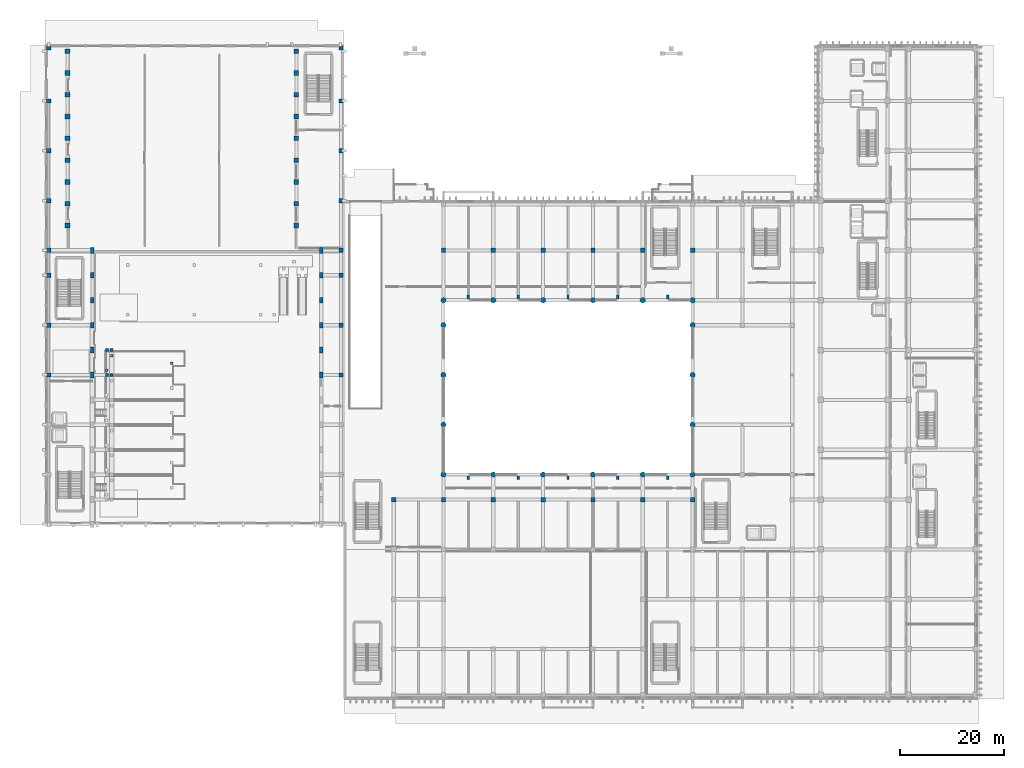
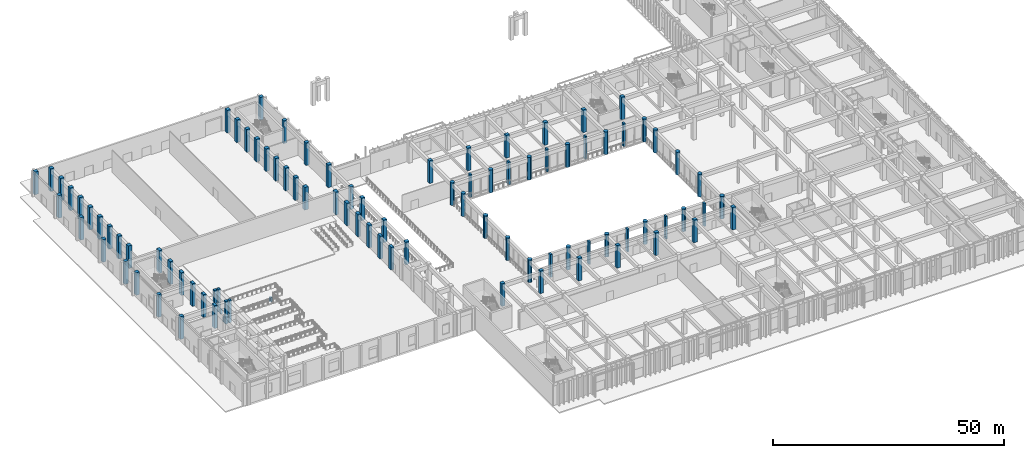
# One storey, part 4 of 87: 94 columns.
"""IFC4 building model written with IfcOpenShell, lengths in metres."""

from ifc_helpers import new_model, si_unit, direction, frame, origin, origin_2d, place, context, subcontext, project, spatial, rectangle, circle, extrude, material, material_profile, profile_set, type_object, element, save


model = new_model("IFC4")

# Units and contexts
model_context = context("Model", 3, precision=1e-05, world=origin(), true_north=direction((0.0, 1.0)))
body_context = subcontext(model_context, "Body", "Model", "MODEL_VIEW")
ifc_project = project(units=[si_unit("LENGTHUNIT", "METRE"), si_unit("AREAUNIT", "SQUARE_METRE"), si_unit("VOLUMEUNIT", "CUBIC_METRE"), si_unit("PLANEANGLEUNIT", "RADIAN"), si_unit("MASSUNIT", "GRAM", prefix="KILO")], contexts=[model_context])

# Site, building, storey
site_placement = place(None, origin())
site = spatial("IfcSite", under=ifc_project, at=site_placement, CompositionType="ELEMENT")
building_placement = place(site_placement, origin())
building = spatial("IfcBuilding", under=site, at=building_placement, Name="Nakhvara Creek Congress Hotel", CompositionType="ELEMENT")
storey_placement = place(building_placement, origin())
storey = spatial("IfcBuildingStorey", under=building, at=storey_placement, Name="L00", CompositionType="ELEMENT", Elevation=0.0)

# Columns
ifc_material = material(Name="Concrete C50/60", Category="concrete")
ifc_material_profile_1 = material_profile(ifc_material, rectangle(XDim=0.5, YDim=0.5, at=origin_2d()), Name="RC-COL 500x500", Category="LoadBearing")
ifc_profile_set_1 = profile_set([ifc_material_profile_1], Name="Concrete C50/60")
column_type_1 = type_object("IfcColumnType", Name="COL-RC-500", PredefinedType="COLUMN", material=ifc_profile_set_1)
for number, where, z_axis, x_axis, name in (
    (1, (11.949951171875, 63.300048828125, 0.0), (0.0, 0.0, 1.0), (1.0, 0.0, 0.0), "Congress Stand Riser Pier L00-6.1"),
    (2, (12.85009765625, 66.10009765625, 0.0), (0.0, 0.0, 1.0), (1.0, 0.0, 0.0), "Congress Stand Riser Pier L00-6.2"),
    (3, (24.449951171875, 64.699951171875, 0.0), (0.0, 0.0, 1.0), (1.0, 0.0, 0.0), "Congress Stand Riser Pier L00-6.3"),
):
    element("IfcColumn", number, at=place(storey_placement, frame(where, z_axis=z_axis, x_axis=x_axis)), inside=storey, type_object=column_type_1, Name=name, PredefinedType="COLUMN", context=body_context, shape_type="SweptSolid", body=[
        extrude(rectangle(XDim=0.5, YDim=0.5, at=origin_2d()), origin(), (0.0, 0.0, 1.0), 1.159912109375),
    ])
ifc_material_profile_2 = material_profile(ifc_material, rectangle(XDim=0.60009765625, YDim=0.60009765625, at=origin_2d()), Name="RC-COL 600x600", Category="LoadBearing")
ifc_profile_set_2 = profile_set([ifc_material_profile_2], Name="Concrete C50/60")
column_type_2 = type_object("IfcColumnType", Name="COL-RC-600", PredefinedType="COLUMN", material=ifc_profile_set_2)
for number, where, z_axis, x_axis, name in (
    (4, (11.949951171875, 62.39990234375, 0.0), (0.0, 0.0, 1.0), (1.0, 0.0, 0.0), "Column C08-L00-0626"),
    (5, (12.85009765625, 62.39990234375, 0.0), (0.0, 0.0, 1.0), (1.0, 0.0, 0.0), "Column C08-L00-0627"),
    (6, (11.949951171875, 67.199951171875, 0.0), (0.0, 0.0, 1.0), (1.0, 0.0, 0.0), "Column C08-L00-0628"),
    (7, (12.85009765625, 67.199951171875, 0.0), (0.0, 0.0, 1.0), (1.0, 0.0, 0.0), "Column C08-L00-0629"),
):
    element("IfcColumn", number, at=place(storey_placement, frame(where, z_axis=z_axis, x_axis=x_axis)), inside=storey, type_object=column_type_2, Name=name, PredefinedType="COLUMN", context=body_context, shape_type="SweptSolid", body=[
        extrude(rectangle(XDim=0.60009765625, YDim=0.60009765625, at=origin_2d()), origin(), (0.0, 0.0, 1.0), 6.0),
    ])
ifc_material_profile_3 = material_profile(ifc_material, rectangle(XDim=0.699951171875, YDim=1.10009765625, at=origin_2d()), Name="RC-COL 700x1100", Category="LoadBearing")
ifc_profile_set_3 = profile_set([ifc_material_profile_3], Name="Concrete C50/60")
column_type_3 = type_object("IfcColumnType", Name="COL-RC-700X1100", PredefinedType="COLUMN", material=ifc_profile_set_3)
for number, where, z_axis, x_axis, name in (
    (8, (9.14990234375, 62.39990234375, 0.0), (0.0, 0.0, 1.0), (1.0, 0.0, 0.0), "Column C12-L00-0604"),
    (9, (53.25, 62.39990234375, 0.0), (0.0, 0.0, 1.0), (1.0, 0.0, 0.0), "Column C12-L00-0605"),
    (10, (9.14990234375, 67.199951171875, 0.0), (0.0, 0.0, 1.0), (1.0, 0.0, 0.0), "Column C12-L00-0606"),
    (11, (53.25, 67.199951171875, 0.0), (0.0, 0.0, 1.0), (1.0, 0.0, 0.0), "Column C12-L00-0607"),
    (12, (9.14990234375, 72.0, 0.0), (0.0, 0.0, 1.0), (1.0, 0.0, 0.0), "Column C12-L00-0608"),
    (13, (53.25, 72.0, 0.0), (0.0, 0.0, 1.0), (1.0, 0.0, 0.0), "Column C12-L00-0609"),
    (14, (9.14990234375, 76.800048828125, 0.0), (0.0, 0.0, 1.0), (1.0, 0.0, 0.0), "Column C12-L00-0610"),
    (15, (53.25, 76.800048828125, 0.0), (0.0, 0.0, 1.0), (1.0, 0.0, 0.0), "Column C12-L00-0611"),
    (16, (9.14990234375, 81.60009765625, 0.0), (0.0, 0.0, 1.0), (1.0, 0.0, 0.0), "Column C12-L00-0612"),
    (17, (53.25, 81.60009765625, 0.0), (0.0, 0.0, 1.0), (1.0, 0.0, 0.0), "Column C12-L00-0613"),
    (18, (9.14990234375, 86.39990234375, 0.0), (0.0, 0.0, 1.0), (1.0, 0.0, 0.0), "Column C12-L00-0614"),
    (19, (53.25, 86.39990234375, 0.0), (0.0, 0.0, 1.0), (1.0, 0.0, 0.0), "Column C12-L00-0615"),
):
    element("IfcColumn", number, at=place(storey_placement, frame(where, z_axis=z_axis, x_axis=x_axis)), inside=storey, type_object=column_type_3, Name=name, PredefinedType="COLUMN", context=body_context, shape_type="SweptSolid", body=[
        extrude(rectangle(XDim=0.699951171875, YDim=1.10009765625, at=origin_2d()), origin(), (0.0, 0.0, 1.0), 6.0),
    ])
ifc_material_profile_4 = material_profile(ifc_material, rectangle(XDim=0.85009765625, YDim=0.85009765625, at=origin_2d()), Name="RC-COL 850x850", Category="LoadBearing")
ifc_profile_set_4 = profile_set([ifc_material_profile_4], Name="Concrete C50/60")
column_type_4 = type_object("IfcColumnType", Name="COL-RC-850", PredefinedType="COLUMN", material=ifc_profile_set_4)
for number, where, z_axis, x_axis, name in (
    (20, (0.75, 62.39990234375, 0.0), (0.0, 0.0, 1.0), (1.0, 0.0, 0.0), "Column C18-L00-0584"),
    (21, (57.050048828125, 62.39990234375, 0.0), (0.0, 0.0, 1.0), (1.0, 0.0, 0.0), "Column C18-L00-0585"),
    (22, (0.75, 72.0, 0.0), (0.0, 0.0, 1.0), (1.0, 0.0, 0.0), "Column C18-L00-0586"),
    (23, (57.050048828125, 72.0, 0.0), (0.0, 0.0, 1.0), (1.0, 0.0, 0.0), "Column C18-L00-0587"),
    (24, (0.75, 81.60009765625, 0.0), (0.0, 0.0, 1.0), (1.0, 0.0, 0.0), "Column C18-L00-0588"),
    (25, (57.050048828125, 81.60009765625, 0.0), (0.0, 0.0, 1.0), (1.0, 0.0, 0.0), "Column C18-L00-0589"),
    (26, (0.75, 86.39990234375, 0.0), (0.0, 0.0, 1.0), (1.0, 0.0, 0.0), "Column C18-L00-0590"),
    (27, (57.050048828125, 86.39990234375, 0.0), (0.0, 0.0, 1.0), (1.0, 0.0, 0.0), "Column C18-L00-0591"),
    (28, (0.75, 96.0, 0.0), (0.0, 0.0, 1.0), (1.0, 0.0, 0.0), "Column C18-L00-0648"),
    (29, (57.050048828125, 96.0, 0.0), (0.0, 0.0, 1.0), (1.0, 0.0, 0.0), "Column C18-L00-0649"),
    (30, (0.75, 105.60009765625, 0.0), (0.0, 0.0, 1.0), (1.0, 0.0, 0.0), "Column C18-L00-0650"),
    (31, (57.050048828125, 105.60009765625, 0.0), (0.0, 0.0, 1.0), (1.0, 0.0, 0.0), "Column C18-L00-0651"),
    (32, (0.75, 115.199951171875, 0.0), (0.0, 0.0, 1.0), (1.0, 0.0, 0.0), "Column C18-L00-0652"),
    (33, (57.050048828125, 115.199951171875, 0.0), (0.0, 0.0, 1.0), (1.0, 0.0, 0.0), "Column C18-L00-0653"),
    (34, (0.75, 125.39990234375, 0.0), (0.0, 0.0, 1.0), (1.0, 0.0, 0.0), "Column C18-L00-0654"),
    (35, (57.050048828125, 125.39990234375, 0.0), (0.0, 0.0, 1.0), (1.0, 0.0, 0.0), "Column C18-L00-0655"),
    (36, (67.199951171875, 38.39990234375, 0.0), (0.0, 0.0, 1.0), (1.0, 0.0, 0.0), "Column C18-L00-0660"),
    (37, (76.800048828125, 38.39990234375, 0.0), (0.0, 0.0, 1.0), (1.0, 0.0, 0.0), "Column C18-L00-0665"),
    (38, (76.800048828125, 86.39990234375, 0.0), (0.0, 0.0, 1.0), (1.0, 0.0, 0.0), "Column C18-L00-0671"),
    (39, (86.39990234375, 38.39990234375, 0.0), (0.0, 0.0, 1.0), (1.0, 0.0, 0.0), "Column C18-L00-0676"),
    (40, (86.39990234375, 86.39990234375, 0.0), (0.0, 0.0, 1.0), (1.0, 0.0, 0.0), "Column C18-L00-0679"),
    (41, (96.0, 38.39990234375, 0.0), (0.0, 0.0, 1.0), (1.0, 0.0, 0.0), "Column C18-L00-0684"),
    (42, (96.0, 86.39990234375, 0.0), (0.0, 0.0, 1.0), (1.0, 0.0, 0.0), "Column C18-L00-0687"),
    (43, (105.60009765625, 38.39990234375, 0.0), (0.0, 0.0, 1.0), (1.0, 0.0, 0.0), "Column C18-L00-0692"),
    (44, (105.60009765625, 86.39990234375, 0.0), (0.0, 0.0, 1.0), (1.0, 0.0, 0.0), "Column C18-L00-0695"),
    (45, (115.199951171875, 38.39990234375, 0.0), (0.0, 0.0, 1.0), (1.0, 0.0, 0.0), "Column C18-L00-0701"),
    (46, (115.199951171875, 86.39990234375, 0.0), (0.0, 0.0, 1.0), (1.0, 0.0, 0.0), "Column C18-L00-0704"),
    (47, (124.800048828125, 38.39990234375, 0.0), (0.0, 0.0, 1.0), (1.0, 0.0, 0.0), "Column C18-L00-0710"),
    (48, (124.800048828125, 86.39990234375, 0.0), (0.0, 0.0, 1.0), (1.0, 0.0, 0.0), "Column C18-L00-0716"),
):
    element("IfcColumn", number, at=place(storey_placement, frame(where, z_axis=z_axis, x_axis=x_axis)), inside=storey, type_object=column_type_4, Name=name, PredefinedType="COLUMN", context=body_context, shape_type="SweptSolid", body=[
        extrude(rectangle(XDim=0.85009765625, YDim=0.85009765625, at=origin_2d()), origin(), (0.0, 0.0, 1.0), 6.0),
    ])
ifc_material_profile_5 = material_profile(ifc_material, rectangle(XDim=0.89990234375, YDim=0.89990234375, at=origin_2d()), Name="RC-COL 900x900", Category="LoadBearing")
ifc_profile_set_5 = profile_set([ifc_material_profile_5], Name="Concrete C50/60")
column_type_5 = type_object("IfcColumnType", Name="COL-RC-900", PredefinedType="COLUMN", material=ifc_profile_set_5)
for number, where, z_axis, x_axis, name in (
    (49, (4.35009765625, 91.199951171875, 0.0), (0.0, 0.0, 1.0), (1.0, 0.0, 0.0), "Column C03-L00-0630"),
    (50, (48.449951171875, 91.199951171875, 0.0), (0.0, 0.0, 1.0), (1.0, 0.0, 0.0), "Column C03-L00-0631"),
    (51, (4.35009765625, 95.39990234375, 0.0), (0.0, 0.0, 1.0), (1.0, 0.0, 0.0), "Column C03-L00-0632"),
    (52, (48.449951171875, 95.39990234375, 0.0), (0.0, 0.0, 1.0), (1.0, 0.0, 0.0), "Column C03-L00-0633"),
    (53, (4.35009765625, 99.60009765625, 0.0), (0.0, 0.0, 1.0), (1.0, 0.0, 0.0), "Column C03-L00-0634"),
    (54, (48.449951171875, 99.60009765625, 0.0), (0.0, 0.0, 1.0), (1.0, 0.0, 0.0), "Column C03-L00-0635"),
    (55, (4.35009765625, 103.800048828125, 0.0), (0.0, 0.0, 1.0), (1.0, 0.0, 0.0), "Column C03-L00-0636"),
    (56, (48.449951171875, 103.800048828125, 0.0), (0.0, 0.0, 1.0), (1.0, 0.0, 0.0), "Column C03-L00-0637"),
    (57, (4.35009765625, 108.0, 0.0), (0.0, 0.0, 1.0), (1.0, 0.0, 0.0), "Column C03-L00-0638"),
    (58, (48.449951171875, 108.0, 0.0), (0.0, 0.0, 1.0), (1.0, 0.0, 0.0), "Column C03-L00-0639"),
    (59, (4.35009765625, 112.199951171875, 0.0), (0.0, 0.0, 1.0), (1.0, 0.0, 0.0), "Column C03-L00-0640"),
    (60, (48.449951171875, 112.199951171875, 0.0), (0.0, 0.0, 1.0), (1.0, 0.0, 0.0), "Column C03-L00-0641"),
    (61, (4.35009765625, 116.39990234375, 0.0), (0.0, 0.0, 1.0), (1.0, 0.0, 0.0), "Column C03-L00-0642"),
    (62, (48.449951171875, 116.39990234375, 0.0), (0.0, 0.0, 1.0), (1.0, 0.0, 0.0), "Column C03-L00-0643"),
    (63, (4.35009765625, 120.60009765625, 0.0), (0.0, 0.0, 1.0), (1.0, 0.0, 0.0), "Column C03-L00-0644"),
    (64, (48.449951171875, 120.60009765625, 0.0), (0.0, 0.0, 1.0), (1.0, 0.0, 0.0), "Column C03-L00-0645"),
    (65, (4.35009765625, 124.800048828125, 0.0), (0.0, 0.0, 1.0), (1.0, 0.0, 0.0), "Column C03-L00-0646"),
    (66, (48.449951171875, 124.800048828125, 0.0), (0.0, 0.0, 1.0), (1.0, 0.0, 0.0), "Column C03-L00-0647"),
):
    element("IfcColumn", number, at=place(storey_placement, frame(where, z_axis=z_axis, x_axis=x_axis)), inside=storey, type_object=column_type_5, Name=name, PredefinedType="COLUMN", context=body_context, shape_type="SweptSolid", body=[
        extrude(rectangle(XDim=0.89990234375, YDim=0.89990234375, at=origin_2d()), origin(), (0.0, 0.0, 1.0), 6.0),
    ])
ifc_material_profile_6 = material_profile(ifc_material, circle(Radius=0.5, at=origin_2d()), Name="RC-COL D1000", Category="LoadBearing")
ifc_profile_set_6 = profile_set([ifc_material_profile_6], Name="Concrete C50/60")
column_type_6 = type_object("IfcColumnType", Name="COL-RC-D1000", PredefinedType="COLUMN", material=ifc_profile_set_6)
for number, where, z_axis, x_axis, name in (
    (67, (76.800048828125, 43.199951171875, 0.0), (0.0, 0.0, 1.0), (1.0, 0.0, 0.0), "Column C13-L00-0666"),
    (68, (76.800048828125, 52.800048828125, 0.0), (0.0, 0.0, 1.0), (1.0, 0.0, 0.0), "Column C13-L00-0667"),
    (69, (76.800048828125, 62.39990234375, 0.0), (0.0, 0.0, 1.0), (1.0, 0.0, 0.0), "Column C13-L00-0668"),
    (70, (76.800048828125, 72.0, 0.0), (0.0, 0.0, 1.0), (1.0, 0.0, 0.0), "Column C13-L00-0669"),
    (71, (76.800048828125, 76.800048828125, 0.0), (0.0, 0.0, 1.0), (1.0, 0.0, 0.0), "Column C13-L00-0670"),
    (72, (86.39990234375, 43.199951171875, 0.0), (0.0, 0.0, 1.0), (1.0, 0.0, 0.0), "Column C13-L00-0677"),
    (73, (86.39990234375, 76.800048828125, 0.0), (0.0, 0.0, 1.0), (1.0, 0.0, 0.0), "Column C13-L00-0678"),
    (74, (96.0, 43.199951171875, 0.0), (0.0, 0.0, 1.0), (1.0, 0.0, 0.0), "Column C13-L00-0685"),
    (75, (96.0, 76.800048828125, 0.0), (0.0, 0.0, 1.0), (1.0, 0.0, 0.0), "Column C13-L00-0686"),
    (76, (105.60009765625, 43.199951171875, 0.0), (0.0, 0.0, 1.0), (1.0, 0.0, 0.0), "Column C13-L00-0693"),
    (77, (105.60009765625, 76.800048828125, 0.0), (0.0, 0.0, 1.0), (1.0, 0.0, 0.0), "Column C13-L00-0694"),
    (78, (115.199951171875, 43.199951171875, 0.0), (0.0, 0.0, 1.0), (1.0, 0.0, 0.0), "Column C13-L00-0702"),
    (79, (115.199951171875, 76.800048828125, 0.0), (0.0, 0.0, 1.0), (1.0, 0.0, 0.0), "Column C13-L00-0703"),
    (80, (124.800048828125, 43.199951171875, 0.0), (0.0, 0.0, 1.0), (1.0, 0.0, 0.0), "Column C13-L00-0711"),
    (81, (124.800048828125, 52.800048828125, 0.0), (0.0, 0.0, 1.0), (1.0, 0.0, 0.0), "Column C13-L00-0712"),
    (82, (124.800048828125, 62.39990234375, 0.0), (0.0, 0.0, 1.0), (1.0, 0.0, 0.0), "Column C13-L00-0713"),
    (83, (124.800048828125, 72.0, 0.0), (0.0, 0.0, 1.0), (1.0, 0.0, 0.0), "Column C13-L00-0714"),
    (84, (124.800048828125, 76.800048828125, 0.0), (0.0, 0.0, 1.0), (1.0, 0.0, 0.0), "Column C13-L00-0715"),
):
    element("IfcColumn", number, at=place(storey_placement, frame(where, z_axis=z_axis, x_axis=x_axis)), inside=storey, type_object=column_type_6, Name=name, PredefinedType="COLUMN", context=body_context, shape_type="SweptSolid", body=[
        extrude(circle(Radius=0.5, at=origin_2d()), origin(), (0.0, 0.0, 1.0), 6.0),
    ])
ifc_material_profile_7 = material_profile(ifc_material, rectangle(XDim=0.449951171875, YDim=0.75, at=origin_2d()), Name="RC-PIL 450x750", Category="LoadBearing")
ifc_profile_set_7 = profile_set([ifc_material_profile_7], Name="Concrete C50/60")
column_type_7 = type_object("IfcColumnType", Name="PIL-RC-450X750", PredefinedType="PILASTER", material=ifc_profile_set_7)
for number, where, z_axis, x_axis, name in (
    (85, (81.60009765625, 42.60009765625, 0.0), (0.0, 0.0, 1.0), (1.0, 0.0, 0.0), "Pilaster Pier PL2-L00-021"),
    (86, (91.199951171875, 42.60009765625, 0.0), (0.0, 0.0, 1.0), (1.0, 0.0, 0.0), "Pilaster Pier PL2-L00-022"),
    (87, (100.800048828125, 42.60009765625, 0.0), (0.0, 0.0, 1.0), (1.0, 0.0, 0.0), "Pilaster Pier PL2-L00-023"),
    (88, (110.39990234375, 42.60009765625, 0.0), (0.0, 0.0, 1.0), (1.0, 0.0, 0.0), "Pilaster Pier PL2-L00-024"),
    (89, (120.0, 42.60009765625, 0.0), (0.0, 0.0, 1.0), (1.0, 0.0, 0.0), "Pilaster Pier PL2-L00-025"),
    (90, (81.60009765625, 77.39990234375, 0.0), (0.0, 0.0, 1.0), (1.0, 0.0, 0.0), "Pilaster Pier PL2-L00-026"),
    (91, (91.199951171875, 77.39990234375, 0.0), (0.0, 0.0, 1.0), (1.0, 0.0, 0.0), "Pilaster Pier PL2-L00-027"),
    (92, (100.800048828125, 77.39990234375, 0.0), (0.0, 0.0, 1.0), (1.0, 0.0, 0.0), "Pilaster Pier PL2-L00-028"),
    (93, (110.39990234375, 77.39990234375, 0.0), (0.0, 0.0, 1.0), (1.0, 0.0, 0.0), "Pilaster Pier PL2-L00-029"),
    (94, (120.0, 77.39990234375, 0.0), (0.0, 0.0, 1.0), (1.0, 0.0, 0.0), "Pilaster Pier PL2-L00-030"),
):
    element("IfcColumn", number, at=place(storey_placement, frame(where, z_axis=z_axis, x_axis=x_axis)), inside=storey, type_object=column_type_7, Name=name, PredefinedType="PILASTER", context=body_context, shape_type="SweptSolid", body=[
        extrude(rectangle(XDim=0.449951171875, YDim=0.75, at=origin_2d()), origin(), (0.0, 0.0, 1.0), 6.0),
    ])

save(model, "model.ifc")
